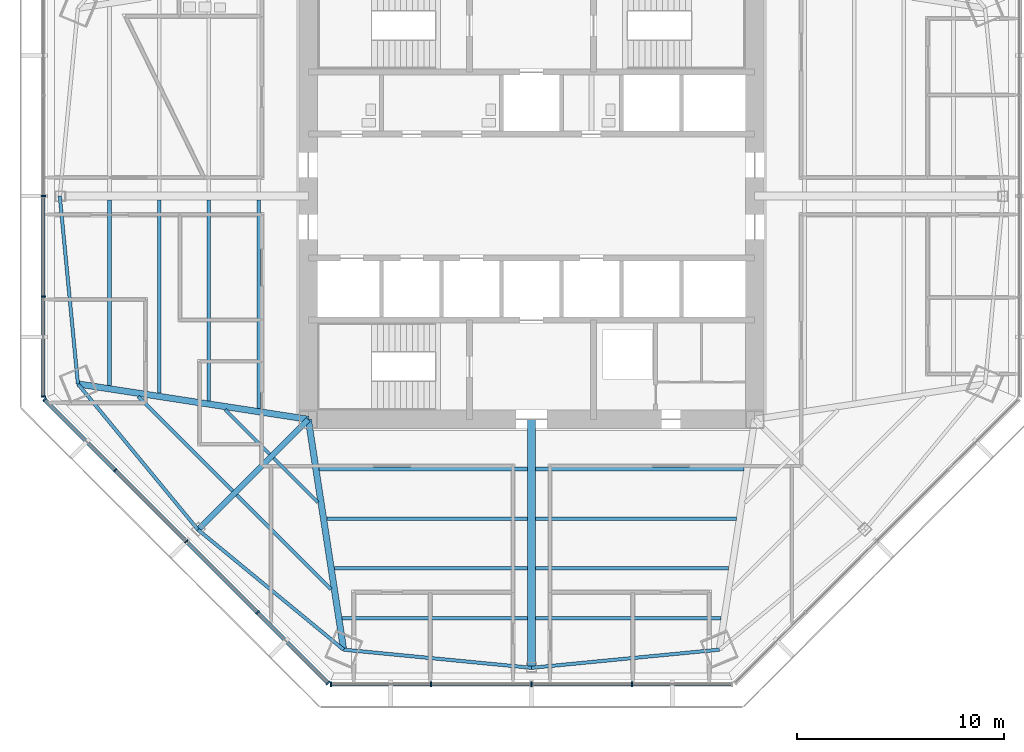
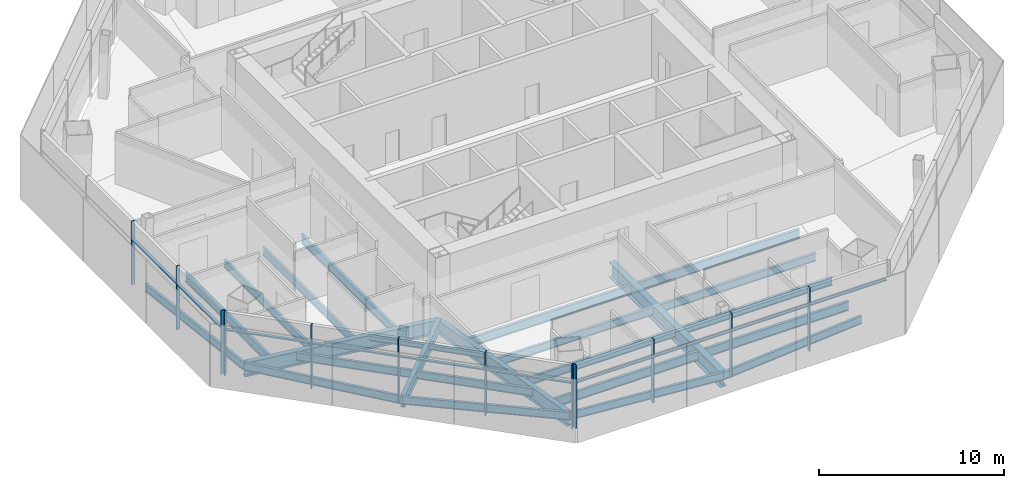
# One storey, part 2 of 15: 25 beams, 22 members, 3 elements without a shape of their own.
"""IFC4 building model written with IfcOpenShell, lengths in metres."""

from ifc_helpers import new_model, si_unit, direction, frame, origin, origin_2d, place, context, subcontext, project, spatial, rectangle, i_section, extrude, source, transform, mapped, material, material_profile, profile_set, type_object, type_shapes, element, aggregate, save


model = new_model("IFC4")

# Units and contexts
model_context = context("Model", 3, precision=1e-05, world=origin(), true_north=direction((0.0, 1.0)))
body_context = subcontext(model_context, "Body", "Model", "MODEL_VIEW")
ifc_project = project(units=[si_unit("LENGTHUNIT", "METRE"), si_unit("AREAUNIT", "SQUARE_METRE"), si_unit("VOLUMEUNIT", "CUBIC_METRE"), si_unit("PLANEANGLEUNIT", "RADIAN"), si_unit("MASSUNIT", "GRAM", prefix="KILO")], contexts=[model_context])

# Site, building, storey
site_placement = place(None, origin())
site = spatial("IfcSite", under=ifc_project, at=site_placement, CompositionType="ELEMENT")
building_placement = place(site_placement, origin())
building = spatial("IfcBuilding", under=site, at=building_placement, Name="Mashrafa Tower", CompositionType="ELEMENT")
storey_placement = place(building_placement, frame((0.0, 0.0, 155.39990234375)))
storey = spatial("IfcBuildingStorey", under=building, at=storey_placement, Name="L35", CompositionType="ELEMENT", Elevation=155.39990234375)

# Beams
ifc_material_1 = material(Name="Steel ASTM A992", Category="steel")
ifc_material_profile_1 = material_profile(ifc_material_1, i_section(OverallWidth=0.164794921875, OverallDepth=0.309814453125, WebThickness=0.005859375, FlangeThickness=0.009765625, FilletRadius=0.007568359375, at=origin_2d()), Name="W12X26")
ifc_profile_set_1 = profile_set([ifc_material_profile_1], Name="Steel ASTM A992")
beam_type_1 = type_object("IfcBeamType", Name="Beam W12X26", PredefinedType="BEAM", material=ifc_profile_set_1)
for number, where, z_axis, x_axis, name in (
    (1, (-12.673828125, -12.485107421875, -0.31982421875), (-0.707106781187, 0.707106781187, 0.0), (-0.707106781187, -0.707106781187, 0.0), "Floor beam L35 013"),
    (2, (-10.338623046875, -14.8203125, -0.31982421875), (-0.707106781187, 0.707106781187, 0.0), (-0.707106781187, -0.707106781187, 0.0), "Floor beam L35 016"),
):
    element("IfcBeam", number, at=place(storey_placement, frame(where, z_axis=z_axis, x_axis=x_axis)), inside=storey, type_object=beam_type_1, Name=name, PredefinedType="BEAM", context=body_context, shape_type="SweptSolid", body=[
        extrude(i_section(OverallWidth=0.164794921875, OverallDepth=0.309814453125, WebThickness=0.005859375, FlangeThickness=0.009765625, FilletRadius=0.007568359375, at=origin_2d()), origin(), (0.0, 0.0, 1.0), 3.03564453125),
    ])
ifc_material_2 = material(Name="Steel ASTM A992", Category="steel")
ifc_material_profile_2 = material_profile(ifc_material_2, i_section(OverallWidth=0.1650390625, OverallDepth=0.52587890625, WebThickness=0.0087890625, FlangeThickness=0.011474609375, FilletRadius=0.0126953125, at=origin_2d()), Name="W21X44")
ifc_profile_set_2 = profile_set([ifc_material_profile_2], Name="Steel ASTM A992")
beam_type_2 = type_object("IfcBeamType", Name="Beam W21X44", PredefinedType="BEAM", material=ifc_profile_set_2)
beam_1_placement = place(storey_placement, frame((-18.013916015625, -9.53759765625, -0.427734375), z_axis=(0.0, 1.0, 0.0), x_axis=(-1.0, 0.0, 0.0)))
element("IfcBeam", 3, at=beam_1_placement, inside=storey, type_object=beam_type_2, Name="Floor beam L35 004", PredefinedType="BEAM", context=body_context, shape_type="SweptSolid", body=[
    extrude(i_section(OverallWidth=0.1650390625, OverallDepth=0.52587890625, WebThickness=0.0087890625, FlangeThickness=0.011474609375, FilletRadius=0.0126953125, at=origin_2d()), origin(), (0.0, 0.0, 1.0), 9.3369140625),
])
beam_2_placement = place(storey_placement, frame((-15.609375, -9.906494140625, -0.427734375), z_axis=(0.0, 1.0, 0.0), x_axis=(-1.0, 0.0, 0.0)))
element("IfcBeam", 4, at=beam_2_placement, inside=storey, type_object=beam_type_2, Name="Floor beam L35 006", PredefinedType="BEAM", context=body_context, shape_type="SweptSolid", body=[
    extrude(i_section(OverallWidth=0.1650390625, OverallDepth=0.52587890625, WebThickness=0.0087890625, FlangeThickness=0.011474609375, FilletRadius=0.0126953125, at=origin_2d()), origin(), (0.0, 0.0, 1.0), 9.705810546875),
])
for number, where, z_axis, x_axis, name in (
    (5, (-14.453369140625, -14.2646484375, -0.427734375), (-0.707106781187, 0.707106781187, 0.0), (-0.707106781187, -0.707106781187, 0.0), "Floor beam L35 009"),
    (6, (-9.693603515625, -19.0244140625, -0.427734375), (-0.707106781187, 0.707106781187, 0.0), (-0.707106781187, -0.707106781187, 0.0), "Floor beam L35 019"),
):
    element("IfcBeam", number, at=place(storey_placement, frame(where, z_axis=z_axis, x_axis=x_axis)), inside=storey, type_object=beam_type_2, Name=name, PredefinedType="BEAM", context=body_context, shape_type="SweptSolid", body=[
        extrude(i_section(OverallWidth=0.1650390625, OverallDepth=0.52587890625, WebThickness=0.0087890625, FlangeThickness=0.011474609375, FilletRadius=0.0126953125, at=origin_2d()), origin(), (0.0, 0.0, 1.0), 6.46435546875),
    ])
beam_3_placement = place(storey_placement, frame((-0.20068359375, -18.013916015625, -0.427734375), z_axis=(-1.0, 0.0, 0.0), x_axis=(0.0, -1.0, 0.0)))
element("IfcBeam", 7, at=beam_3_placement, inside=storey, type_object=beam_type_2, Name="Floor beam L35 022", PredefinedType="BEAM", context=body_context, shape_type="SweptSolid", body=[
    extrude(i_section(OverallWidth=0.1650390625, OverallDepth=0.52587890625, WebThickness=0.0087890625, FlangeThickness=0.011474609375, FilletRadius=0.0126953125, at=origin_2d()), origin(), (0.0, 0.0, 1.0), 9.3369140625),
])
beam_4_placement = place(storey_placement, frame((-0.20068359375, -15.609375, -0.427734375), z_axis=(-1.0, 0.0, 0.0), x_axis=(0.0, -1.0, 0.0)))
element("IfcBeam", 8, at=beam_4_placement, inside=storey, type_object=beam_type_2, Name="Floor beam L35 023", PredefinedType="BEAM", context=body_context, shape_type="SweptSolid", body=[
    extrude(i_section(OverallWidth=0.1650390625, OverallDepth=0.52587890625, WebThickness=0.0087890625, FlangeThickness=0.011474609375, FilletRadius=0.0126953125, at=origin_2d()), origin(), (0.0, 0.0, 1.0), 9.705810546875),
])
beam_5_placement = place(storey_placement, frame((9.53759765625, -18.013916015625, -0.427734375), z_axis=(-1.0, 0.0, 0.0), x_axis=(0.0, -1.0, 0.0)))
element("IfcBeam", 9, at=beam_5_placement, inside=storey, type_object=beam_type_2, Name="Floor beam L35 031", PredefinedType="BEAM", context=body_context, shape_type="SweptSolid", body=[
    extrude(i_section(OverallWidth=0.1650390625, OverallDepth=0.52587890625, WebThickness=0.0087890625, FlangeThickness=0.011474609375, FilletRadius=0.0126953125, at=origin_2d()), origin(), (0.0, 0.0, 1.0), 9.3369140625),
])
beam_6_placement = place(storey_placement, frame((9.906494140625, -15.609375, -0.427734375), z_axis=(-1.0, 0.0, 0.0), x_axis=(0.0, -1.0, 0.0)))
element("IfcBeam", 10, at=beam_6_placement, inside=storey, type_object=beam_type_2, Name="Floor beam L35 032", PredefinedType="BEAM", context=body_context, shape_type="SweptSolid", body=[
    extrude(i_section(OverallWidth=0.1650390625, OverallDepth=0.52587890625, WebThickness=0.0087890625, FlangeThickness=0.011474609375, FilletRadius=0.0126953125, at=origin_2d()), origin(), (0.0, 0.0, 1.0), 9.705810546875),
])
beam_7_placement = place(storey_placement, frame((-22.8232421875, 0.0, -0.427734375), z_axis=(0.096160155008, -0.995365874736, 0.0), x_axis=(0.995365874736, 0.096160155008, 0.0)))
element("IfcBeam", 11, at=beam_7_placement, inside=storey, type_object=beam_type_2, Name="Spandrel beam L35 065", PredefinedType="BEAM", context=body_context, shape_type="SweptSolid", body=[
    extrude(i_section(OverallWidth=0.1650390625, OverallDepth=0.52587890625, WebThickness=0.0087890625, FlangeThickness=0.011474609375, FilletRadius=0.0126953125, at=origin_2d()), origin(), (0.0, 0.0, 1.0), 9.13232421875),
])
for number, where, z_axis, x_axis, name in (
    (12, (-21.945068359375, -9.090087890625, -0.427734375), (0.635845929647, -0.771816010297, 0.0), (0.771816010297, 0.635845929647, 0.0), "Spandrel beam L35 066"),
    (13, (-16.138427734375, -16.138427734375, -0.427734375), (0.771816010297, -0.635845929647, 0.0), (0.635845929647, 0.771816010297, 0.0), "Spandrel beam L35 068"),
):
    element("IfcBeam", number, at=place(storey_placement, frame(where, z_axis=z_axis, x_axis=x_axis)), inside=storey, type_object=beam_type_2, Name=name, PredefinedType="BEAM", context=body_context, shape_type="SweptSolid", body=[
        extrude(i_section(OverallWidth=0.1650390625, OverallDepth=0.52587890625, WebThickness=0.0087890625, FlangeThickness=0.011474609375, FilletRadius=0.0126953125, at=origin_2d()), origin(), (0.0, 0.0, 1.0), 9.132080078125),
    ])
for number, where, z_axis, x_axis, name in (
    (14, (-9.090087890625, -21.945068359375, -0.427734375), (0.995365874736, -0.096160155008, 0.0), (0.096160155008, 0.995365874736, 0.0), "Spandrel beam L35 070"),
    (15, (0.0, -22.8232421875, -0.427734375), (0.995365874736, 0.096160155008, 0.0), (-0.096160155008, 0.995365874736, 0.0), "Spandrel beam L35 072"),
):
    element("IfcBeam", number, at=place(storey_placement, frame(where, z_axis=z_axis, x_axis=x_axis)), inside=storey, type_object=beam_type_2, Name=name, PredefinedType="BEAM", context=body_context, shape_type="SweptSolid", body=[
        extrude(i_section(OverallWidth=0.1650390625, OverallDepth=0.52587890625, WebThickness=0.0087890625, FlangeThickness=0.011474609375, FilletRadius=0.0126953125, at=origin_2d()), origin(), (0.0, 0.0, 1.0), 9.13232421875),
    ])
ifc_material_3 = material(Name="Steel ASTM A992", Category="steel")
ifc_material_profile_3 = material_profile(ifc_material_3, i_section(OverallWidth=0.177978515625, OverallDepth=0.599365234375, WebThickness=0.010009765625, FlangeThickness=0.012939453125, FilletRadius=0.012939453125, at=origin_2d()), Name="W24X55")
ifc_profile_set_3 = profile_set([ifc_material_profile_3], Name="Steel ASTM A992")
beam_type_3 = type_object("IfcBeamType", Name="Beam W24X55", PredefinedType="BEAM", material=ifc_profile_set_3)
beam_8_placement = place(storey_placement, frame((-20.418701171875, -9.168701171875, -0.464599609375), z_axis=(0.0, 1.0, 0.0), x_axis=(-1.0, 0.0, 0.0)))
element("IfcBeam", 16, at=beam_8_placement, inside=storey, type_object=beam_type_3, Name="Floor beam L35 001", PredefinedType="BEAM", context=body_context, shape_type="SweptSolid", body=[
    extrude(i_section(OverallWidth=0.177978515625, OverallDepth=0.599365234375, WebThickness=0.010009765625, FlangeThickness=0.012939453125, FilletRadius=0.012939453125, at=origin_2d()), origin(), (0.0, 0.0, 1.0), 8.968017578125),
])
beam_9_placement = place(storey_placement, frame((-13.20458984375, -10.275634765625, -0.464599609375), z_axis=(0.0, 1.0, 0.0), x_axis=(-1.0, 0.0, 0.0)))
element("IfcBeam", 17, at=beam_9_placement, inside=storey, type_object=beam_type_3, Name="Floor beam L35 011", PredefinedType="BEAM", context=body_context, shape_type="SweptSolid", body=[
    extrude(i_section(OverallWidth=0.177978515625, OverallDepth=0.599365234375, WebThickness=0.010009765625, FlangeThickness=0.012939453125, FilletRadius=0.012939453125, at=origin_2d()), origin(), (0.0, 0.0, 1.0), 10.074951171875),
])
beam_10_placement = place(storey_placement, frame((-0.20068359375, -20.418701171875, -0.464599609375), z_axis=(-1.0, 0.0, 0.0), x_axis=(0.0, -1.0, 0.0)))
element("IfcBeam", 18, at=beam_10_placement, inside=storey, type_object=beam_type_3, Name="Floor beam L35 021", PredefinedType="BEAM", context=body_context, shape_type="SweptSolid", body=[
    extrude(i_section(OverallWidth=0.177978515625, OverallDepth=0.599365234375, WebThickness=0.010009765625, FlangeThickness=0.012939453125, FilletRadius=0.012939453125, at=origin_2d()), origin(), (0.0, 0.0, 1.0), 8.968017578125),
])
beam_11_placement = place(storey_placement, frame((-0.20068359375, -13.20458984375, -0.464599609375), z_axis=(-1.0, 0.0, 0.0), x_axis=(0.0, -1.0, 0.0)))
element("IfcBeam", 19, at=beam_11_placement, inside=storey, type_object=beam_type_3, Name="Floor beam L35 024", PredefinedType="BEAM", context=body_context, shape_type="SweptSolid", body=[
    extrude(i_section(OverallWidth=0.177978515625, OverallDepth=0.599365234375, WebThickness=0.010009765625, FlangeThickness=0.012939453125, FilletRadius=0.012939453125, at=origin_2d()), origin(), (0.0, 0.0, 1.0), 10.074951171875),
])
beam_12_placement = place(storey_placement, frame((9.168701171875, -20.418701171875, -0.464599609375), z_axis=(-1.0, 0.0, 0.0), x_axis=(0.0, -1.0, 0.0)))
element("IfcBeam", 20, at=beam_12_placement, inside=storey, type_object=beam_type_3, Name="Floor beam L35 029", PredefinedType="BEAM", context=body_context, shape_type="SweptSolid", body=[
    extrude(i_section(OverallWidth=0.177978515625, OverallDepth=0.599365234375, WebThickness=0.010009765625, FlangeThickness=0.012939453125, FilletRadius=0.012939453125, at=origin_2d()), origin(), (0.0, 0.0, 1.0), 8.968017578125),
])
beam_13_placement = place(storey_placement, frame((10.275634765625, -13.20458984375, -0.464599609375), z_axis=(-1.0, 0.0, 0.0), x_axis=(0.0, -1.0, 0.0)))
element("IfcBeam", 21, at=beam_13_placement, inside=storey, type_object=beam_type_3, Name="Floor beam L35 034", PredefinedType="BEAM", context=body_context, shape_type="SweptSolid", body=[
    extrude(i_section(OverallWidth=0.177978515625, OverallDepth=0.599365234375, WebThickness=0.010009765625, FlangeThickness=0.012939453125, FilletRadius=0.012939453125, at=origin_2d()), origin(), (0.0, 0.0, 1.0), 10.074951171875),
])
ifc_material_4 = material(Name="Steel ASTM A992", Category="steel")
ifc_material_profile_4 = material_profile(ifc_material_4, i_section(OverallWidth=0.2666015625, OverallDepth=0.761962890625, WebThickness=0.014404296875, FlangeThickness=0.021484375, FilletRadius=0.0166015625, at=origin_2d()), Name="W30X116")
ifc_profile_set_4 = profile_set([ifc_material_profile_4], Name="Steel ASTM A992")
beam_type_4 = type_object("IfcBeamType", Name="Beam W30X116", PredefinedType="BEAM", material=ifc_profile_set_4)
beam_14_placement = place(storey_placement, frame((-10.800048828125, -10.800048828125, -0.5458984375), z_axis=(-0.707106781187, -0.707106781187, 0.0), x_axis=(0.707106781187, -0.707106781187, 0.0)))
element("IfcBeam", 22, at=beam_14_placement, inside=storey, type_object=beam_type_4, Name="Radial girder L35 050", PredefinedType="BEAM", context=body_context, shape_type="SweptSolid", body=[
    extrude(i_section(OverallWidth=0.2666015625, OverallDepth=0.761962890625, WebThickness=0.014404296875, FlangeThickness=0.021484375, FilletRadius=0.0166015625, at=origin_2d()), origin(), (0.0, 0.0, 1.0), 7.549560546875),
])
ifc_material_5 = material(Name="Steel ASTM A992", Category="steel")
ifc_material_profile_5 = material_profile(ifc_material_5, i_section(OverallWidth=0.307373046875, OverallDepth=0.927001953125, WebThickness=0.01953125, FlangeThickness=0.031982421875, FilletRadius=0.01904296875, at=origin_2d()), Name="W36X194")
ifc_profile_set_5 = profile_set([ifc_material_profile_5], Name="Steel ASTM A992")
beam_type_5 = type_object("IfcBeamType", Name="Beam W36X194", PredefinedType="BEAM", material=ifc_profile_set_5)
for number, where, z_axis, x_axis, name in (
    (23, (-10.800048828125, -10.800048828125, -0.62841796875), (-0.988433693942, 0.151653660293, 0.0), (-0.151653660293, -0.988433693942, 0.0), "Radial girder L35 049"),
    (24, (-10.800048828125, -10.800048828125, -0.62841796875), (0.151653660293, -0.988433693942, 0.0), (0.988433693942, 0.151653660293, 0.0), "Radial girder L35 051"),
):
    element("IfcBeam", number, at=place(storey_placement, frame(where, z_axis=z_axis, x_axis=x_axis)), inside=storey, type_object=beam_type_5, Name=name, PredefinedType="BEAM", context=body_context, shape_type="SweptSolid", body=[
        extrude(i_section(OverallWidth=0.307373046875, OverallDepth=0.927001953125, WebThickness=0.01953125, FlangeThickness=0.031982421875, FilletRadius=0.01904296875, at=origin_2d()), origin(), (0.0, 0.0, 1.0), 11.275390625),
    ])
ifc_material_6 = material(Name="Steel ASTM A992", Category="steel")
ifc_material_profile_6 = material_profile(ifc_material_6, i_section(OverallWidth=0.4013671875, OverallDepth=1.010986328125, WebThickness=0.023681640625, FlangeThickness=0.0419921875, FilletRadius=0.02001953125, at=origin_2d()), Name="W40X297")
ifc_profile_set_6 = profile_set([ifc_material_profile_6], Name="Steel ASTM A992")
beam_type_6 = type_object("IfcBeamType", Name="Beam W40X297", PredefinedType="BEAM", material=ifc_profile_set_6)
beam_15_placement = place(storey_placement, frame((0.0, -10.800048828125, -0.67041015625), z_axis=(0.0, -1.0, 0.0), x_axis=(1.0, 0.0, 0.0)))
element("IfcBeam", 25, at=beam_15_placement, inside=storey, type_object=beam_type_6, Name="Radial girder L35 056", PredefinedType="BEAM", context=body_context, shape_type="SweptSolid", body=[
    extrude(i_section(OverallWidth=0.4013671875, OverallDepth=1.010986328125, WebThickness=0.023681640625, FlangeThickness=0.0419921875, FilletRadius=0.02001953125, at=origin_2d()), origin(), (0.0, 0.0, 1.0), 12.023193359375),
])

# Curtain wall, members
ifc_material_7 = material(Name="Unitised aluminium curtain wall", Category="aluminium")
curtain_wall_type = type_object("IfcCurtainWallType", Name="Office curtain wall, zone 2 CW-B 225 deep", PredefinedType="NOTDEFINED", material=ifc_material_7)
curtain_wall_1_placement = place(storey_placement, origin())
curtain_wall_1 = element("IfcCurtainWall", 26, at=curtain_wall_1_placement, inside=storey, type_object=curtain_wall_type, Name="Office curtain wall, zone 2 L35 west", PredefinedType="NOTDEFINED")
ifc_material_8 = material(Name="Extruded aluminium mullion", Category="aluminium")
ifc_material_profile_7 = material_profile(ifc_material_8, rectangle(XDim=0.22509765625, YDim=0.06494140625, at=origin_2d()), Name="Mullion 65x225")
ifc_profile_set_7 = profile_set([ifc_material_profile_7], Name="Extruded aluminium mullion")
member_type_1 = type_object("IfcMemberType", Name="Mullion CW-B 65 x 225", PredefinedType="MULLION", material=ifc_profile_set_7)
shared_shape_1 = source(origin(), body_context, "Body", "SweptSolid", [
    extrude(rectangle(XDim=0.22509765625, YDim=0.06494140625, at=origin_2d()), origin(), (0.0, 0.0, 1.0), 4.2001953125),
])
type_shapes(member_type_1, [shared_shape_1])
member_1_placement = place(storey_placement, frame((-23.61865234375, 0.0, 0.0), z_axis=(0.0, 0.0, 1.0), x_axis=(1.0, 0.0, 0.0)))
member_1 = element("IfcMember", 27, at=member_1_placement, type_object=member_type_1, Name="CW-B mullion 3", PredefinedType="MULLION", context=body_context, shape_type="MappedRepresentation", body=[
    mapped(shared_shape_1, transform((0.0, 0.0, 0.0))),
])
member_2_placement = place(storey_placement, frame((-23.61865234375, -4.86328125, 0.0), z_axis=(0.0, 0.0, 1.0), x_axis=(1.0, 0.0, 0.0)))
member_2 = element("IfcMember", 28, at=member_2_placement, type_object=member_type_1, Name="CW-B mullion 4", PredefinedType="MULLION", context=body_context, shape_type="MappedRepresentation", body=[
    mapped(shared_shape_1, transform((0.0, 0.0, 0.0))),
])
member_3_placement = place(storey_placement, frame((-23.61865234375, -9.694091796875, 0.0), z_axis=(0.0, 0.0, 1.0), x_axis=(1.0, 0.0, 0.0)))
member_3 = element("IfcMember", 29, at=member_3_placement, type_object=member_type_1, Name="CW-B mullion 5", PredefinedType="MULLION", context=body_context, shape_type="MappedRepresentation", body=[
    mapped(shared_shape_1, transform((0.0, 0.0, 0.0))),
])

curtain_wall_2_placement = place(storey_placement, origin())
curtain_wall_2 = element("IfcCurtainWall", 30, at=curtain_wall_2_placement, inside=storey, type_object=curtain_wall_type, Name="Office curtain wall, zone 2 L35 south-west", PredefinedType="NOTDEFINED")
member_4_placement = place(storey_placement, frame((-23.5556640625, -9.84619140625, 0.0), z_axis=(0.0, 0.0, 1.0), x_axis=(0.707106781187, 0.707106781187, 0.0)))
member_4 = element("IfcMember", 31, at=member_4_placement, type_object=member_type_1, Name="CW-B mullion 1", PredefinedType="MULLION", context=body_context, shape_type="MappedRepresentation", body=[
    mapped(shared_shape_1, transform((0.0, 0.0, 0.0))),
])
member_5_placement = place(storey_placement, frame((-20.139892578125, -13.261962890625, 0.0), z_axis=(0.0, 0.0, 1.0), x_axis=(0.707106781187, 0.707106781187, 0.0)))
member_5 = element("IfcMember", 32, at=member_5_placement, type_object=member_type_1, Name="CW-B mullion 2", PredefinedType="MULLION", context=body_context, shape_type="MappedRepresentation", body=[
    mapped(shared_shape_1, transform((0.0, 0.0, 0.0))),
])
member_6_placement = place(storey_placement, frame((-16.700927734375, -16.700927734375, 0.0), z_axis=(0.0, 0.0, 1.0), x_axis=(0.707106781187, 0.707106781187, 0.0)))
member_6 = element("IfcMember", 33, at=member_6_placement, type_object=member_type_1, Name="CW-B mullion 3", PredefinedType="MULLION", context=body_context, shape_type="MappedRepresentation", body=[
    mapped(shared_shape_1, transform((0.0, 0.0, 0.0))),
])
member_7_placement = place(storey_placement, frame((-13.261962890625, -20.139892578125, 0.0), z_axis=(0.0, 0.0, 1.0), x_axis=(0.707106781187, 0.707106781187, 0.0)))
member_7 = element("IfcMember", 34, at=member_7_placement, type_object=member_type_1, Name="CW-B mullion 4", PredefinedType="MULLION", context=body_context, shape_type="MappedRepresentation", body=[
    mapped(shared_shape_1, transform((0.0, 0.0, 0.0))),
])
member_8_placement = place(storey_placement, frame((-9.84619140625, -23.5556640625, 0.0), z_axis=(0.0, 0.0, 1.0), x_axis=(0.707106781187, 0.707106781187, 0.0)))
member_8 = element("IfcMember", 35, at=member_8_placement, type_object=member_type_1, Name="CW-B mullion 5", PredefinedType="MULLION", context=body_context, shape_type="MappedRepresentation", body=[
    mapped(shared_shape_1, transform((0.0, 0.0, 0.0))),
])

curtain_wall_3_placement = place(storey_placement, origin())
curtain_wall_3 = element("IfcCurtainWall", 36, at=curtain_wall_3_placement, inside=storey, type_object=curtain_wall_type, Name="Office curtain wall, zone 2 L35 south", PredefinedType="NOTDEFINED")
member_9_placement = place(storey_placement, frame((-9.694091796875, -23.61865234375, 0.0), z_axis=(0.0, 0.0, 1.0), x_axis=(0.0, 1.0, 0.0)))
member_9 = element("IfcMember", 37, at=member_9_placement, type_object=member_type_1, Name="CW-B mullion 1", PredefinedType="MULLION", context=body_context, shape_type="MappedRepresentation", body=[
    mapped(shared_shape_1, transform((0.0, 0.0, 0.0))),
])
member_10_placement = place(storey_placement, frame((-4.86328125, -23.61865234375, 0.0), z_axis=(0.0, 0.0, 1.0), x_axis=(0.0, 1.0, 0.0)))
member_10 = element("IfcMember", 38, at=member_10_placement, type_object=member_type_1, Name="CW-B mullion 2", PredefinedType="MULLION", context=body_context, shape_type="MappedRepresentation", body=[
    mapped(shared_shape_1, transform((0.0, 0.0, 0.0))),
])
member_11_placement = place(storey_placement, frame((0.0, -23.61865234375, 0.0), z_axis=(0.0, 0.0, 1.0), x_axis=(0.0, 1.0, 0.0)))
member_11 = element("IfcMember", 39, at=member_11_placement, type_object=member_type_1, Name="CW-B mullion 3", PredefinedType="MULLION", context=body_context, shape_type="MappedRepresentation", body=[
    mapped(shared_shape_1, transform((0.0, 0.0, 0.0))),
])
member_12_placement = place(storey_placement, frame((4.86328125, -23.61865234375, 0.0), z_axis=(0.0, 0.0, 1.0), x_axis=(0.0, 1.0, 0.0)))
member_12 = element("IfcMember", 40, at=member_12_placement, type_object=member_type_1, Name="CW-B mullion 4", PredefinedType="MULLION", context=body_context, shape_type="MappedRepresentation", body=[
    mapped(shared_shape_1, transform((0.0, 0.0, 0.0))),
])

# Member
ifc_material_9 = material(Name="Extruded aluminium transom", Category="aluminium")
ifc_material_profile_8 = material_profile(ifc_material_9, rectangle(XDim=0.179931640625, YDim=0.080078125, at=origin_2d()), Name="Transom 80x180")
ifc_profile_set_8 = profile_set([ifc_material_profile_8], Name="Extruded aluminium transom")
member_type_2 = type_object("IfcMemberType", Name="Transom CW-B 80 x 180", PredefinedType="MULLION", material=ifc_profile_set_8)
shared_shape_2 = source(origin(), body_context, "Body", "SweptSolid", [
    extrude(rectangle(XDim=0.179931640625, YDim=0.080078125, at=origin_2d()), origin(), (0.0, 0.0, 1.0), 4.765869140625),
])
member_13_placement = place(storey_placement, frame((-23.61865234375, -4.895751953125, 3.0), z_axis=(0.0, -1.0, 0.0), x_axis=(1.0, 0.0, 0.0)))
member_13 = element("IfcMember", 41, at=member_13_placement, type_object=member_type_2, Name="CW-B transom 4", PredefinedType="MULLION", context=body_context, shape_type="MappedRepresentation", body=[
    mapped(shared_shape_2, transform((0.0, 0.0, 0.0))),
])

member_14_placement = place(storey_placement, frame((-9.66162109375, -23.61865234375, 3.0), z_axis=(1.0, 0.0, 0.0), x_axis=(0.0, 1.0, 0.0)))
member_14 = element("IfcMember", 42, at=member_14_placement, type_object=member_type_2, Name="CW-B transom 1", PredefinedType="MULLION", context=body_context, shape_type="MappedRepresentation", body=[
    mapped(shared_shape_2, transform((0.0, 0.0, 0.0))),
])

member_15_placement = place(storey_placement, frame((4.895751953125, -23.61865234375, 3.0), z_axis=(1.0, 0.0, 0.0), x_axis=(0.0, 1.0, 0.0)))
member_15 = element("IfcMember", 43, at=member_15_placement, type_object=member_type_2, Name="CW-B transom 4", PredefinedType="MULLION", context=body_context, shape_type="MappedRepresentation", body=[
    mapped(shared_shape_2, transform((0.0, 0.0, 0.0))),
])

shared_shape_3 = source(origin(), body_context, "Body", "SweptSolid", [
    extrude(rectangle(XDim=0.179931640625, YDim=0.080078125, at=origin_2d()), origin(), (0.0, 0.0, 1.0), 4.79833984375),
])
member_16_placement = place(storey_placement, frame((-23.61865234375, -0.032470703125, 3.0), z_axis=(0.0, -1.0, 0.0), x_axis=(1.0, 0.0, 0.0)))
member_16 = element("IfcMember", 44, at=member_16_placement, type_object=member_type_2, Name="CW-B transom 3", PredefinedType="MULLION", context=body_context, shape_type="MappedRepresentation", body=[
    mapped(shared_shape_3, transform((0.0, 0.0, 0.0))),
])

aggregate(curtain_wall_1, [member_1, member_2, member_3, member_16, member_13])

member_17_placement = place(storey_placement, frame((-4.830810546875, -23.61865234375, 3.0), z_axis=(1.0, 0.0, 0.0), x_axis=(0.0, 1.0, 0.0)))
member_17 = element("IfcMember", 45, at=member_17_placement, type_object=member_type_2, Name="CW-B transom 2", PredefinedType="MULLION", context=body_context, shape_type="MappedRepresentation", body=[
    mapped(shared_shape_3, transform((0.0, 0.0, 0.0))),
])

member_18_placement = place(storey_placement, frame((0.032470703125, -23.61865234375, 3.0), z_axis=(1.0, 0.0, 0.0), x_axis=(0.0, 1.0, 0.0)))
member_18 = element("IfcMember", 46, at=member_18_placement, type_object=member_type_2, Name="CW-B transom 3", PredefinedType="MULLION", context=body_context, shape_type="MappedRepresentation", body=[
    mapped(shared_shape_3, transform((0.0, 0.0, 0.0))),
])

aggregate(curtain_wall_3, [member_9, member_10, member_11, member_12, member_14, member_17, member_18, member_15])

shared_shape_4 = source(origin(), body_context, "Body", "SweptSolid", [
    extrude(rectangle(XDim=0.179931640625, YDim=0.080078125, at=origin_2d()), origin(), (0.0, 0.0, 1.0), 4.765625),
])
member_19_placement = place(storey_placement, frame((-23.53271484375, -9.869140625, 3.0), z_axis=(0.707106781187, -0.707106781187, 0.0), x_axis=(0.707106781187, 0.707106781187, 0.0)))
member_19 = element("IfcMember", 47, at=member_19_placement, type_object=member_type_2, Name="CW-B transom 1", PredefinedType="MULLION", context=body_context, shape_type="MappedRepresentation", body=[
    mapped(shared_shape_4, transform((0.0, 0.0, 0.0))),
])

member_20_placement = place(storey_placement, frame((-13.239013671875, -20.162841796875, 3.0), z_axis=(0.707106781187, -0.707106781187, 0.0), x_axis=(0.707106781187, 0.707106781187, 0.0)))
member_20 = element("IfcMember", 48, at=member_20_placement, type_object=member_type_2, Name="CW-B transom 4", PredefinedType="MULLION", context=body_context, shape_type="MappedRepresentation", body=[
    mapped(shared_shape_4, transform((0.0, 0.0, 0.0))),
])

shared_shape_5 = source(origin(), body_context, "Body", "SweptSolid", [
    extrude(rectangle(XDim=0.179931640625, YDim=0.080078125, at=origin_2d()), origin(), (0.0, 0.0, 1.0), 4.798095703125),
])
type_shapes(member_type_2, [shared_shape_2, shared_shape_3, shared_shape_4, shared_shape_5])
member_21_placement = place(storey_placement, frame((-20.11669921875, -13.28515625, 3.0), z_axis=(0.707106781187, -0.707106781187, 0.0), x_axis=(0.707106781187, 0.707106781187, 0.0)))
member_21 = element("IfcMember", 49, at=member_21_placement, type_object=member_type_2, Name="CW-B transom 2", PredefinedType="MULLION", context=body_context, shape_type="MappedRepresentation", body=[
    mapped(shared_shape_5, transform((0.0, 0.0, 0.0))),
])

member_22_placement = place(storey_placement, frame((-16.677978515625, -16.723876953125, 3.0), z_axis=(0.707106781187, -0.707106781187, 0.0), x_axis=(0.707106781187, 0.707106781187, 0.0)))
member_22 = element("IfcMember", 50, at=member_22_placement, type_object=member_type_2, Name="CW-B transom 3", PredefinedType="MULLION", context=body_context, shape_type="MappedRepresentation", body=[
    mapped(shared_shape_5, transform((0.0, 0.0, 0.0))),
])

aggregate(curtain_wall_2, [member_4, member_5, member_6, member_7, member_8, member_19, member_21, member_22, member_20])

save(model, "model.ifc")
